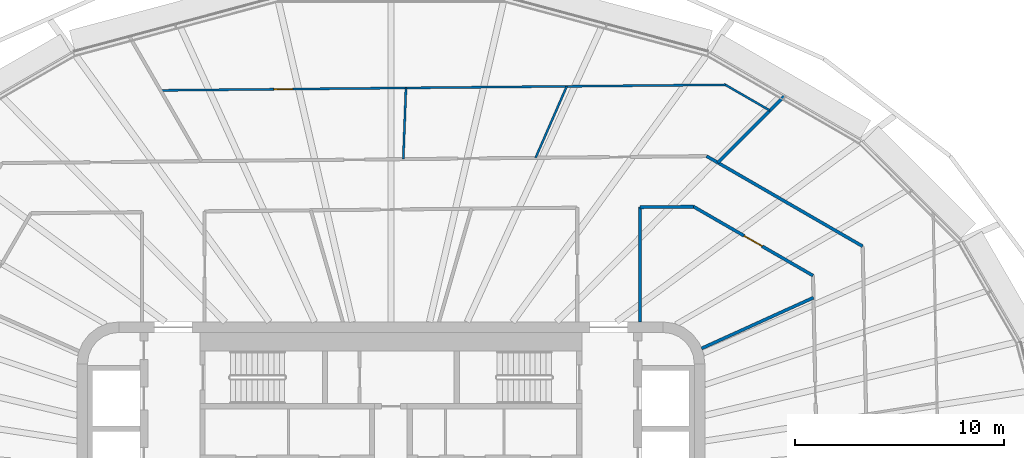
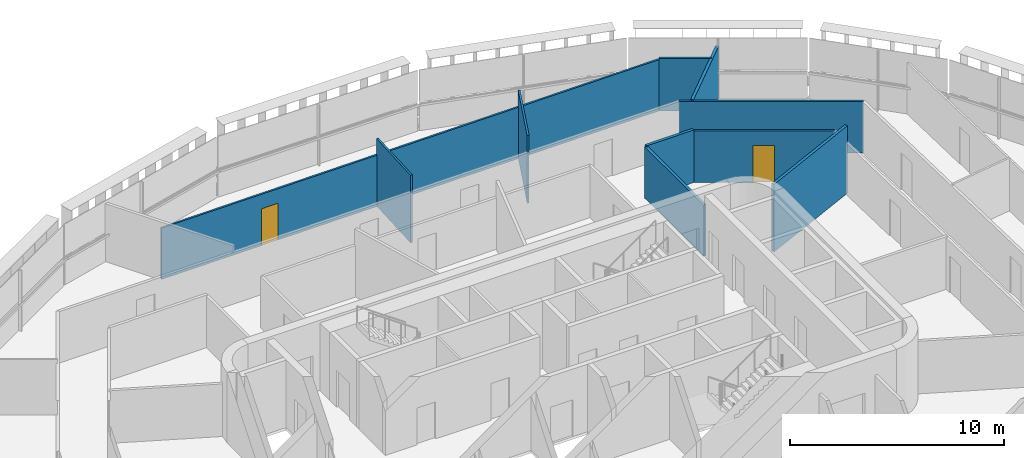
# One storey, part 15 of 23: 10 walls, 2 doors, 2 openings.
"""IFC4 building model written with IfcOpenShell, lengths in metres."""

from ifc_helpers import new_model, si_unit, direction, frame, frame_2d, origin, place, context, subcontext, project, spatial, rectangle, extrude, material, layer, layer_set, type_object, element, fill, save


model = new_model("IFC4")

# Units and contexts
model_context = context("Model", 3, precision=1e-05, world=origin(), true_north=direction((0.0, 1.0)))
body_context = subcontext(model_context, "Body", "Model", "MODEL_VIEW")
ifc_project = project(units=[si_unit("LENGTHUNIT", "METRE"), si_unit("AREAUNIT", "SQUARE_METRE"), si_unit("VOLUMEUNIT", "CUBIC_METRE"), si_unit("PLANEANGLEUNIT", "RADIAN"), si_unit("MASSUNIT", "GRAM", prefix="KILO")], contexts=[model_context])

# Site, building, storey
site_placement = place(None, origin())
site = spatial("IfcSite", under=ifc_project, at=site_placement, CompositionType="ELEMENT")
building_placement = place(site_placement, origin())
building = spatial("IfcBuilding", under=site, at=building_placement, Name="Sahrelin Media Tower", CompositionType="ELEMENT")
storey_placement = place(building_placement, frame((0.0, 0.0, 157.60009765625)))
storey = spatial("IfcBuildingStorey", under=building, at=storey_placement, Name="L32", CompositionType="ELEMENT", Elevation=157.60009765625)

# Wall, opening, door
ifc_material_1 = material(Name="Fire-rated gypsum board partition")
ifc_layer_1 = layer(ifc_material_1, 0.14990234375)
ifc_layer_set_1 = layer_set([ifc_layer_1], Name="Fire-rated partition 150")
wall_type_1 = type_object("IfcWallType", Name="Fire-rated partition 150", PredefinedType="PARTITIONING", material=ifc_layer_set_1)
wall_1_placement = place(storey_placement, frame((14.447998046875, 13.514892578125, 0.0), z_axis=(0.0, 0.0, 1.0), x_axis=(0.865975016585, -0.500087263036, 0.0)))
wall_1 = element("IfcWall", 1, at=wall_1_placement, inside=storey, type_object=wall_type_1, Name="Wall", PredefinedType="PARTITIONING", context=body_context, shape_type="SweptSolid", body=[
    extrude(rectangle(XDim=6.603759765625, YDim=0.14990234375, at=frame_2d((3.3017578125, 0.0))), origin(), (0.0, 0.0, 1.0), 2.927001953125),
])
opening_1_placement = place(wall_1_placement, frame((2.8037109375, 0.0, 0.0)))
opening_1 = element("IfcOpeningElement", 2, at=opening_1_placement, cuts=wall_1, Name="Opening L32-D29", PredefinedType="OPENING", context=body_context, shape_type="SweptSolid", body=[
    extrude(rectangle(XDim=1.0, YDim=2.10009765625, at=frame_2d((0.5, 1.050048828125))), frame((0.0, 0.074951171875, 0.0), z_axis=(0.0, -1.0, 0.0), x_axis=(1.0, 0.0, 0.0)), (0.0, 0.0, 1.0), 0.14990234375),
])
ifc_material_2 = material(Name="Steel fire door leaf", Category="steel")
door_type_1 = type_object("IfcDoorType", Name="Fire door 1000 x 2100 EI 60", OperationType="NOTDEFINED", PredefinedType="DOOR", material=ifc_material_2)
door_1_placement = place(opening_1_placement, origin())
door_1 = element("IfcDoor", 3, at=door_1_placement, inside=storey, type_object=door_type_1, Name="Fire door", OperationType="SINGLE_SWING_LEFT", OverallHeight=2.10009765625, OverallWidth=1.0, PredefinedType="DOOR", context=body_context, shape_type="SweptSolid", body=[
    extrude(rectangle(XDim=1.0, YDim=2.10009765625, at=frame_2d((0.5, 1.050048828125))), frame((0.0, 0.02490234375, 0.0), z_axis=(0.0, -1.0, 0.0), x_axis=(1.0, 0.0, 0.0)), (0.0, 0.0, 1.0), 0.050048828125),
])
fill(opening_1, door_1)

# Walls
wall_2_placement = place(storey_placement, frame((15.080078125, 15.9208984375, 0.0), z_axis=(0.0, 0.0, 1.0), x_axis=(0.865982112089, -0.50007497592, 0.0)))
element("IfcWall", 4, at=wall_2_placement, inside=storey, type_object=wall_type_1, Name="Wall", PredefinedType="PARTITIONING", context=body_context, shape_type="SweptSolid", body=[
    extrude(rectangle(XDim=8.612548828125, YDim=0.14990234375, at=frame_2d((4.30615234375, 0.0))), origin(), (0.0, 0.0, 1.0), 2.927001953125),
])
wall_3_placement = place(storey_placement, frame((11.89990234375, 13.47998046875, 0.0), z_axis=(0.0, 0.0, 1.0), x_axis=(0.999950357576, 0.009964054536, 0.0)))
element("IfcWall", 5, at=wall_3_placement, inside=storey, type_object=wall_type_1, Name="Wall", PredefinedType="PARTITIONING", context=body_context, shape_type="SweptSolid", body=[
    extrude(rectangle(XDim=2.54833984375, YDim=0.14990234375, at=frame_2d((1.274169921875, 0.0))), origin(), (0.0, 0.0, 1.0), 2.994873046875),
])
wall_4_placement = place(storey_placement, frame((14.843017578125, 6.73291015625, 0.0), z_axis=(0.0, 0.0, 1.0), x_axis=(0.910628361306, 0.413226315214, 0.0)))
element("IfcWall", 6, at=wall_4_placement, inside=storey, type_object=wall_type_1, Name="Wall", PredefinedType="PARTITIONING", context=body_context, shape_type="SweptSolid", body=[
    extrude(rectangle(XDim=5.870361328125, YDim=0.14990234375, at=frame_2d((2.93505859375, 0.0))), origin(), (0.0, 0.0, 1.0), 3.849853515625),
])
wall_5_placement = place(storey_placement, frame((15.613037109375, 15.613037109375, 0.0), z_axis=(0.0, 0.0, 1.0), x_axis=(0.707106781187, 0.707106781187, 0.0)))
element("IfcWall", 7, at=wall_5_placement, inside=storey, type_object=wall_type_1, Name="Wall", PredefinedType="PARTITIONING", context=body_context, shape_type="SweptSolid", body=[
    extrude(rectangle(XDim=4.5380859375, YDim=0.14990234375, at=frame_2d((2.26904296875, 0.0))), origin(), (0.0, 0.0, 1.0), 2.994873046875),
])
wall_6_placement = place(storey_placement, frame((11.89990234375, 8.0, 0.0), z_axis=(0.0, 0.0, 1.0), x_axis=(0.0, 1.0, 0.0)))
element("IfcWall", 8, at=wall_6_placement, inside=storey, type_object=wall_type_1, Name="Wall", PredefinedType="PARTITIONING", context=body_context, shape_type="SweptSolid", body=[
    extrude(rectangle(XDim=5.47900390625, YDim=0.14990234375, at=frame_2d((2.739501953125, 0.0))), origin(), (0.0, 0.0, 1.0), 2.927001953125),
])
ifc_material_3 = material(Name="Gypsum board partition")
ifc_layer_2 = layer(ifc_material_3, 0.10009765625)
ifc_layer_set_2 = layer_set([ifc_layer_2], Name="Partition 100")
wall_type_2 = type_object("IfcWallType", Name="Partition 100", PredefinedType="PARTITIONING", material=ifc_layer_set_2)
wall_7_placement = place(storey_placement, frame((15.97509765625, 19.330078125, 0.0), z_axis=(0.0, 0.0, 1.0), x_axis=(0.865977001312, -0.500083826171, 0.0)))
element("IfcWall", 9, at=wall_7_placement, inside=storey, type_object=wall_type_2, Name="Wall", PredefinedType="PARTITIONING", context=body_context, shape_type="SweptSolid", body=[
    extrude(rectangle(XDim=2.4560546875, YDim=0.10009765625, at=frame_2d((1.22802734375, 0.0))), origin(), (0.0, 0.0, 1.0), 2.994873046875),
])

# Wall, opening, door
wall_8_placement = place(storey_placement, frame((-11.006103515625, 19.06298828125, 0.0), z_axis=(0.0, 0.0, 1.0), x_axis=(0.999951007424, 0.009898623735, 0.0)))
wall_8 = element("IfcWall", 10, at=wall_8_placement, inside=storey, type_object=wall_type_2, Name="Wall", PredefinedType="PARTITIONING", context=body_context, shape_type="SweptSolid", body=[
    extrude(rectangle(XDim=26.982421875, YDim=0.10009765625, at=frame_2d((13.4912109375, 0.0))), origin(), (0.0, 0.0, 1.0), 2.927001953125),
])
opening_2_placement = place(wall_8_placement, frame((5.412109375, 0.0, 0.0)))
opening_2 = element("IfcOpeningElement", 11, at=opening_2_placement, cuts=wall_8, Name="Opening L32-D40", PredefinedType="OPENING", context=body_context, shape_type="SweptSolid", body=[
    extrude(rectangle(XDim=0.89990234375, YDim=2.10009765625, at=frame_2d((0.449951171875, 1.050048828125))), frame((0.0, 0.050048828125, 0.0), z_axis=(0.0, -1.0, 0.0), x_axis=(1.0, 0.0, 0.0)), (0.0, 0.0, 1.0), 0.10009765625),
])
ifc_material_4 = material(Name="Timber door leaf", Category="wood")
door_type_2 = type_object("IfcDoorType", Name="Single door 900 x 2100", OperationType="NOTDEFINED", PredefinedType="DOOR", material=ifc_material_4)
door_2_placement = place(opening_2_placement, origin())
door_2 = element("IfcDoor", 12, at=door_2_placement, inside=storey, type_object=door_type_2, Name="Single door", OperationType="SINGLE_SWING_LEFT", OverallHeight=2.10009765625, OverallWidth=0.89990234375, PredefinedType="DOOR", context=body_context, shape_type="SweptSolid", body=[
    extrude(rectangle(XDim=0.89990234375, YDim=2.10009765625, at=frame_2d((0.449951171875, 1.050048828125))), frame((0.0, 0.02490234375, 0.0), z_axis=(0.0, -1.0, 0.0), x_axis=(1.0, 0.0, 0.0)), (0.0, 0.0, 1.0), 0.050048828125),
])
fill(opening_2, door_2)

# Walls
wall_9_placement = place(storey_placement, frame((6.910888671875, 15.840087890625, 0.0), z_axis=(0.0, 0.0, 1.0), x_axis=(0.39992143624, 0.916549423019, 0.0)))
element("IfcWall", 13, at=wall_9_placement, inside=storey, type_object=wall_type_2, Name="Wall", PredefinedType="PARTITIONING", context=body_context, shape_type="SweptSolid", body=[
    extrude(rectangle(XDim=3.7255859375, YDim=0.10009765625, at=frame_2d((1.86279296875, 0.0))), origin(), (0.0, 0.0, 1.0), 3.849853515625),
])
wall_10_placement = place(storey_placement, frame((0.590087890625, 15.778076171875, 0.0), z_axis=(0.0, 0.0, 1.0), x_axis=(0.037590068891, 0.999293243608, 0.0)))
element("IfcWall", 14, at=wall_10_placement, inside=storey, type_object=wall_type_2, Name="Wall", PredefinedType="PARTITIONING", context=body_context, shape_type="SweptSolid", body=[
    extrude(rectangle(XDim=3.4033203125, YDim=0.10009765625, at=frame_2d((1.70166015625, 0.0))), origin(), (0.0, 0.0, 1.0), 3.849853515625),
])

save(model, "model.ifc")
